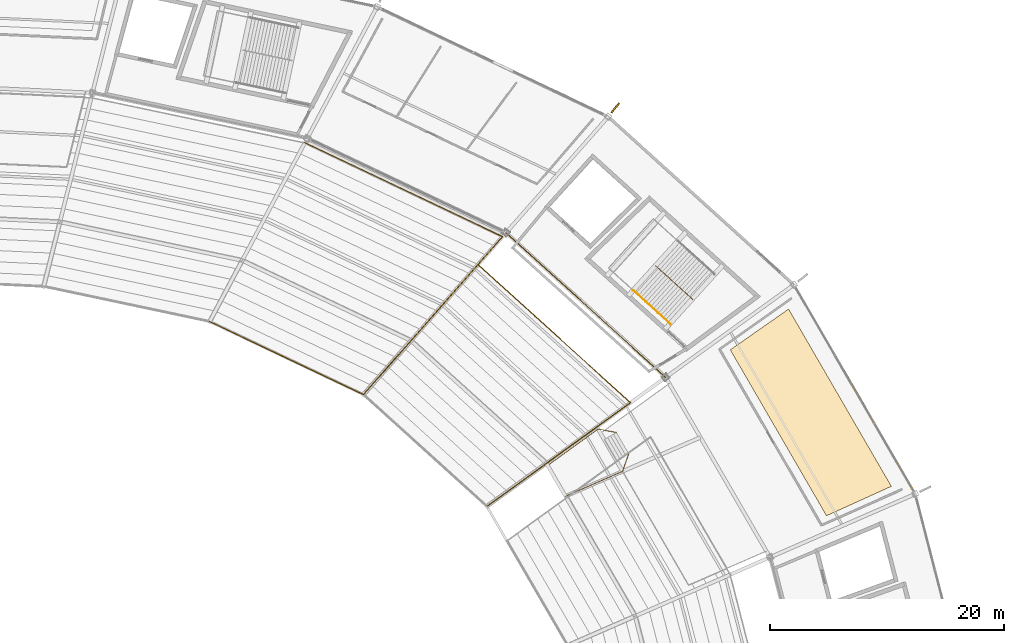
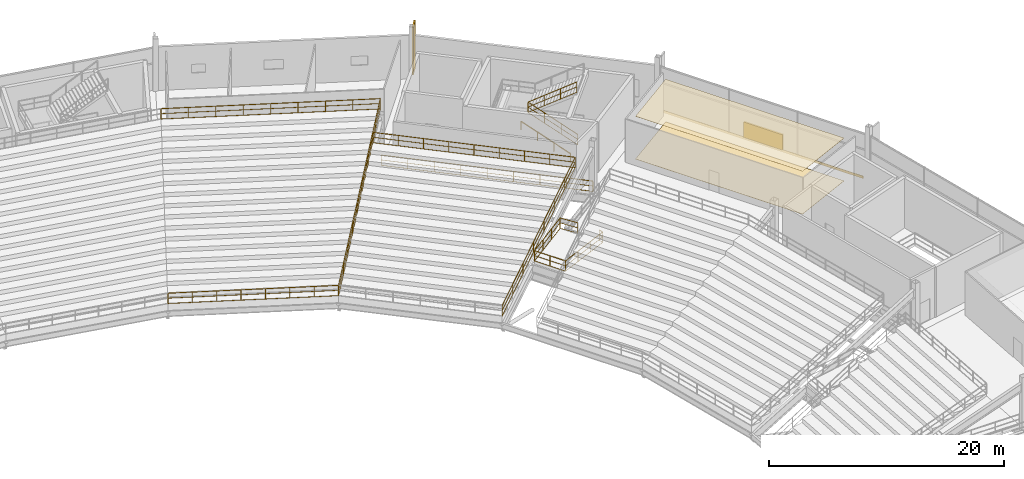
# One storey, part 185 of 186: 10 railings, 3 coverings, 2 shading devices.
"""IFC4 building model written with IfcOpenShell, lengths in metres."""

from ifc_helpers import new_model, si_unit, direction, frame, origin, origin_2d, place, context, subcontext, project, spatial, polyline, rectangle, outline, extrude, material, layer, layer_set, type_object, element, save


model = new_model("IFC4")

# Units and contexts
model_context = context("Model", 3, precision=1e-05, world=origin(), true_north=direction((0.0, 1.0)))
body_context = subcontext(model_context, "Body", "Model", "MODEL_VIEW")
ifc_project = project(units=[si_unit("LENGTHUNIT", "METRE"), si_unit("AREAUNIT", "SQUARE_METRE"), si_unit("VOLUMEUNIT", "CUBIC_METRE"), si_unit("PLANEANGLEUNIT", "RADIAN"), si_unit("MASSUNIT", "GRAM", prefix="KILO")], contexts=[model_context])

# Site, building, storey
site_placement = place(None, origin())
site = spatial("IfcSite", under=ifc_project, at=site_placement, CompositionType="ELEMENT")
building_placement = place(site_placement, origin())
building = spatial("IfcBuilding", under=site, at=building_placement, Name="Kazemori Nagisa Stadium", CompositionType="ELEMENT")
storey_placement = place(building_placement, frame((0.0, 0.0, 20.39990234375)))
storey = spatial("IfcBuildingStorey", under=building, at=storey_placement, Name="L04", CompositionType="ELEMENT", Elevation=20.39990234375)

# Coverings
ifc_material_1 = material(Name="Mineral-fibre acoustic board", Category="gypsum")
ifc_layer_1 = layer(ifc_material_1, 0.02001953125, Name="Mineral-fibre acoustic board", Category="gypsum")
ifc_layer_set_1 = layer_set([ifc_layer_1], Name="Mineral-fibre acoustic board")
covering_type_1 = type_object("IfcCoveringType", Name="Cov_CEIL", PredefinedType="CEILING", material=ifc_layer_set_1)
covering_1_placement = place(storey_placement, frame((0.0, 0.0, 4.4501953125)))
element("IfcCovering", 1, at=covering_1_placement, inside=storey, type_object=covering_type_1, Name="Acoustic ceiling L04-B03", PredefinedType="CEILING", context=body_context, shape_type="SweptSolid", body=[
    extrude(outline(polyline([(204.28125, 138.883544921875), (196.043212890625, 153.091064453125), (201.034423828125, 156.582275390625), (209.835205078125, 141.40380859375), (204.28125, 138.883544921875)])), origin(), (0.0, 0.0, 1.0), 0.02001953125),
])
ifc_material_2 = material(Name="Porcelain stoneware tile", Category="masonry")
ifc_layer_2 = layer(ifc_material_2, 0.02490234375, Name="Porcelain stoneware tile", Category="masonry")
ifc_layer_set_2 = layer_set([ifc_layer_2], Name="Porcelain stoneware tile")
covering_type_2 = type_object("IfcCoveringType", Name="Cov_FLOOR", PredefinedType="FLOORING", material=ifc_layer_set_2)
covering_2_placement = place(storey_placement, origin())
element("IfcCovering", 2, at=covering_2_placement, inside=storey, type_object=covering_type_2, Name="Porcelain floor finish L04-B03", PredefinedType="FLOORING", context=body_context, shape_type="SweptSolid", body=[
    extrude(outline(polyline([(204.28125, 138.883544921875), (196.043212890625, 153.091064453125), (201.034423828125, 156.582275390625), (209.835205078125, 141.40380859375), (204.28125, 138.883544921875)])), origin(), (0.0, 0.0, 1.0), 0.025146484375),
])
ifc_material_3 = material(Name="Anodised aluminium 6063-T5", Category="aluminium")
ifc_layer_3 = layer(ifc_material_3, 0.034912109375, Name="Anodised aluminium 6063-T5", Category="aluminium")
ifc_layer_set_3 = layer_set([ifc_layer_3], Name="Anodised aluminium 6063-T5")
covering_type_3 = type_object("IfcCoveringType", Name="Covering_CLAD", PredefinedType="CLADDING", material=ifc_layer_set_3)
covering_3_placement = place(storey_placement, frame((206.690185546875, 149.70849609375, -0.259765625), z_axis=(0.0, 0.0, 1.0), x_axis=(-0.501611590054, 0.865092950337, 0.0)))
element("IfcCovering", 3, at=covering_3_placement, inside=storey, type_object=covering_type_3, Name="Anodised fascia cladding L04-B03", PredefinedType="CLADDING", context=body_context, shape_type="SweptSolid", body=[
    extrude(rectangle(XDim=19.6123046875, YDim=0.0400390625, at=origin_2d()), origin(), (0.0, 0.0, 1.0), 0.260009765625),
])

# Shading devices
ifc_material_4 = material(Name="Aluminium 6063-T5 anodised", Category="aluminium")
shading_device_type_1 = type_object("IfcShadingDeviceType", Name="Fin_FN03", PredefinedType="USERDEFINED", material=ifc_material_4)
shading_device_1_placement = place(storey_placement, frame((186.193359375, 173.8056640625, 0.0), z_axis=(0.0, 0.0, 1.0), x_axis=(0.623489801853, 0.781831482473, 0.0)))
element("IfcShadingDevice", 4, at=shading_device_1_placement, inside=storey, type_object=shading_device_type_1, Name="Aerodynamic wave shading fin L04-05", ObjectType="FIN", PredefinedType="USERDEFINED", context=body_context, shape_type="SweptSolid", body=[
    extrude(rectangle(XDim=1.050048828125, YDim=0.139892578125, at=origin_2d()), origin(), (0.0, 0.0, 1.0), 5.0),
])
shading_device_type_2 = type_object("IfcShadingDeviceType", Name="Louvre_LV02", PredefinedType="JALOUSIE", material=ifc_material_4)
shading_device_2_placement = place(storey_placement, frame((206.690185546875, 149.70849609375, -0.010009765625), z_axis=(0.0, 0.0, 1.0), x_axis=(-0.501611590054, 0.865092950337, 0.0)))
element("IfcShadingDevice", 5, at=shading_device_2_placement, inside=storey, type_object=shading_device_type_2, Name="Concourse ventilation louvre L04-B03", PredefinedType="JALOUSIE", context=body_context, shape_type="SweptSolid", body=[
    extrude(rectangle(XDim=3.800048828125, YDim=0.179931640625, at=origin_2d()), origin(), (0.0, 0.0, 1.0), 1.60009765625),
])

# Railings
ifc_material_5 = material(Name="Laminated safety glass and stainless steel SUS304", Category="steel")
railing_type_1 = type_object("IfcRailingType", Name="Rail_BAL", PredefinedType="BALUSTRADE", material=ifc_material_5)
railing_1_placement = place(storey_placement, frame((190.506103515625, 150.734130859375, 0.0)))
element("IfcRailing", 6, at=railing_1_placement, inside=storey, type_object=railing_type_1, Name="Upper concourse balustrade L04-B04", PredefinedType="BALUSTRADE", context=body_context, shape_type="SweptSolid", body=[
    extrude(rectangle(XDim=0.050048828125, YDim=0.050048828125, at=origin_2d()), frame((0.0, 0.0, 1.09521484375), z_axis=(-0.741349142139, 0.671119549298, 0.0), x_axis=(-0.671119549298, -0.741349142139, 0.0)), (0.0, 0.0, 1.0), 18.44189453125),
    extrude(rectangle(XDim=0.03759765625, YDim=0.03759765625, at=origin_2d()), frame((0.0, 0.0, 0.58251953125), z_axis=(-0.741349142139, 0.671119549298, 0.0), x_axis=(-0.671119549298, -0.741349142139, 0.0)), (0.0, 0.0, 1.0), 18.44189453125),
    extrude(rectangle(XDim=0.03759765625, YDim=0.03759765625, at=origin_2d()), frame((0.0, 0.0, 0.02490234375), z_axis=(-0.741349142139, 0.671119549298, 0.0), x_axis=(-0.671119549298, -0.741349142139, 0.0)), (0.0, 0.0, 1.0), 18.44189453125),
    extrude(rectangle(XDim=0.044921875, YDim=0.044921875, at=origin_2d()), origin(), (0.0, 0.0, 1.0), 1.070068359375),
    extrude(rectangle(XDim=0.044921875, YDim=0.044921875, at=origin_2d()), frame((-1.708984375, 1.547119140625, 0.0)), (0.0, 0.0, 1.0), 1.070068359375),
    extrude(rectangle(XDim=0.044921875, YDim=0.044921875, at=origin_2d()), frame((-3.41796875, 3.09423828125, 0.0)), (0.0, 0.0, 1.0), 1.070068359375),
    extrude(rectangle(XDim=0.044921875, YDim=0.044921875, at=origin_2d()), frame((-5.126953125, 4.641357421875, 0.0)), (0.0, 0.0, 1.0), 1.070068359375),
    extrude(rectangle(XDim=0.044921875, YDim=0.044921875, at=origin_2d()), frame((-6.8359375, 6.1884765625, 0.0)), (0.0, 0.0, 1.0), 1.070068359375),
    extrude(rectangle(XDim=0.044921875, YDim=0.044921875, at=origin_2d()), frame((-8.544921875, 7.7353515625, 0.0)), (0.0, 0.0, 1.0), 1.070068359375),
    extrude(rectangle(XDim=0.044921875, YDim=0.044921875, at=origin_2d()), frame((-10.25390625, 9.282470703125, 0.0)), (0.0, 0.0, 1.0), 1.070068359375),
    extrude(rectangle(XDim=0.044921875, YDim=0.044921875, at=origin_2d()), frame((-11.962890625, 10.82958984375, 0.0)), (0.0, 0.0, 1.0), 1.070068359375),
    extrude(rectangle(XDim=0.044921875, YDim=0.044921875, at=origin_2d()), frame((-13.671875, 12.376708984375, 0.0)), (0.0, 0.0, 1.0), 1.070068359375),
])
ifc_material_6 = material(Name="Galvanised powder-coated steel", Category="steel")
railing_type_2 = type_object("IfcRailingType", Name="Rail_GUARD", PredefinedType="GUARDRAIL", material=ifc_material_6)
railing_2_placement = place(storey_placement, frame((192.848388671875, 157.393310546875, 0.0)))
element("IfcRailing", 7, at=railing_2_placement, inside=storey, type_object=railing_type_2, Name="Stair central guard ST01-L04", PredefinedType="GUARDRAIL", context=body_context, shape_type="SweptSolid", body=[
    extrude(rectangle(XDim=0.050048828125, YDim=0.050048828125, at=origin_2d()), frame((0.0, 0.0, 1.09521484375), z_axis=(-0.627541812823, 0.568099033934, 0.53240469645), x_axis=(-0.67112318634, -0.741345849626, 0.0)), (0.0, 0.0, 1.0), 5.109375),
    extrude(rectangle(XDim=0.03759765625, YDim=0.03759765625, at=origin_2d()), frame((0.0, 0.0, 0.58251953125), z_axis=(-0.627541812823, 0.568099033934, 0.53240469645), x_axis=(-0.67112318634, -0.741345849626, 0.0)), (0.0, 0.0, 1.0), 5.109375),
    extrude(rectangle(XDim=0.03759765625, YDim=0.03759765625, at=origin_2d()), frame((0.0, 0.0, 0.02490234375), z_axis=(-0.627541812823, 0.568099033934, 0.53240469645), x_axis=(-0.67112318634, -0.741345849626, 0.0)), (0.0, 0.0, 1.0), 5.109375),
    extrude(rectangle(XDim=0.050048828125, YDim=0.050048828125, at=origin_2d()), frame((-3.206298828125, 2.902587890625, 3.8154296875), z_axis=(0.624200602078, -0.565073454279, 0.539504957933), x_axis=(0.671122625547, 0.741346357298, 0.0)), (0.0, 0.0, 1.0), 5.04150390625),
    extrude(rectangle(XDim=0.03759765625, YDim=0.03759765625, at=origin_2d()), frame((-3.206298828125, 2.902587890625, 3.302734375), z_axis=(0.624200602078, -0.565073454279, 0.539504957933), x_axis=(0.671122625547, 0.741346357298, 0.0)), (0.0, 0.0, 1.0), 5.04150390625),
    extrude(rectangle(XDim=0.03759765625, YDim=0.03759765625, at=origin_2d()), frame((-3.206298828125, 2.902587890625, 2.7451171875), z_axis=(0.624200602078, -0.565073454279, 0.539504957933), x_axis=(0.671122625547, 0.741346357298, 0.0)), (0.0, 0.0, 1.0), 5.04150390625),
    extrude(rectangle(XDim=0.044921875, YDim=0.044921875, at=origin_2d()), origin(), (0.0, 0.0, 1.0), 1.070068359375),
    extrude(rectangle(XDim=0.044921875, YDim=0.044921875, at=origin_2d()), frame((-1.06884765625, 0.967529296875, 0.90673828125)), (0.0, 0.0, 1.0), 1.070068359375),
    extrude(rectangle(XDim=0.044921875, YDim=0.044921875, at=origin_2d()), frame((-2.137451171875, 1.93505859375, 1.8134765625)), (0.0, 0.0, 1.0), 1.070068359375),
    extrude(rectangle(XDim=0.044921875, YDim=0.044921875, at=origin_2d()), frame((-3.206298828125, 2.902587890625, 2.72021484375)), (0.0, 0.0, 1.0), 1.070068359375),
    extrude(rectangle(XDim=0.044921875, YDim=0.044921875, at=origin_2d()), frame((-2.1572265625, 1.952880859375, 3.626953125)), (0.0, 0.0, 1.0), 1.070068359375),
    extrude(rectangle(XDim=0.044921875, YDim=0.044921875, at=origin_2d()), frame((-1.1083984375, 1.00341796875, 4.533447265625)), (0.0, 0.0, 1.0), 1.070068359375),
    extrude(rectangle(XDim=0.044921875, YDim=0.044921875, at=origin_2d()), frame((-0.059326171875, 0.0537109375, 5.440185546875)), (0.0, 0.0, 1.0), 1.070068359375),
])
railing_3_placement = place(storey_placement, frame((187.34326171875, 144.19775390625, 0.0)))
element("IfcRailing", 8, at=railing_3_placement, inside=storey, type_object=railing_type_2, Name="Vomitory upper portal guard VU02", PredefinedType="GUARDRAIL", context=body_context, shape_type="SweptSolid", body=[
    extrude(rectangle(XDim=0.050048828125, YDim=0.050048828125, at=origin_2d()), frame((0.0, 0.0, 1.09521484375), z_axis=(-0.286432618581, -0.827858497796, 0.482293129372), x_axis=(0.945033271726, -0.326974181443, 0.0)), (0.0, 0.0, 1.0), 1.824951171875),
    extrude(rectangle(XDim=0.03759765625, YDim=0.03759765625, at=origin_2d()), frame((0.0, 0.0, 0.58251953125), z_axis=(-0.286432618581, -0.827858497796, 0.482293129372), x_axis=(0.945033271726, -0.326974181443, 0.0)), (0.0, 0.0, 1.0), 1.824951171875),
    extrude(rectangle(XDim=0.03759765625, YDim=0.03759765625, at=origin_2d()), frame((0.0, 0.0, 0.02490234375), z_axis=(-0.286432618581, -0.827858497796, 0.482293129372), x_axis=(0.945033271726, -0.326974181443, 0.0)), (0.0, 0.0, 1.0), 1.824951171875),
    extrude(rectangle(XDim=0.050048828125, YDim=0.050048828125, at=origin_2d()), frame((-0.522705078125, -1.5107421875, 1.97509765625), z_axis=(-0.916686075072, -0.399608107736, 0.0), x_axis=(0.399608107736, -0.916686075072, 0.0)), (0.0, 0.0, 1.0), 5.3330078125),
    extrude(rectangle(XDim=0.03759765625, YDim=0.03759765625, at=origin_2d()), frame((-0.522705078125, -1.5107421875, 1.462646484375), z_axis=(-0.916686075072, -0.399608107736, 0.0), x_axis=(0.399608107736, -0.916686075072, 0.0)), (0.0, 0.0, 1.0), 5.3330078125),
    extrude(rectangle(XDim=0.03759765625, YDim=0.03759765625, at=origin_2d()), frame((-0.522705078125, -1.5107421875, 0.9052734375), z_axis=(-0.916686075072, -0.399608107736, 0.0), x_axis=(0.399608107736, -0.916686075072, 0.0)), (0.0, 0.0, 1.0), 5.3330078125),
    extrude(rectangle(XDim=0.050048828125, YDim=0.050048828125, at=origin_2d()), frame((-5.411376953125, -3.641845703125, 1.97509765625), z_axis=(-0.501654597079, 0.86506801191, 0.0), x_axis=(-0.86506801191, -0.501654597079, 0.0)), (0.0, 0.0, 1.0), 3.050048828125),
    extrude(rectangle(XDim=0.03759765625, YDim=0.03759765625, at=origin_2d()), frame((-5.411376953125, -3.641845703125, 1.462646484375), z_axis=(-0.501654597079, 0.86506801191, 0.0), x_axis=(-0.86506801191, -0.501654597079, 0.0)), (0.0, 0.0, 1.0), 3.050048828125),
    extrude(rectangle(XDim=0.03759765625, YDim=0.03759765625, at=origin_2d()), frame((-5.411376953125, -3.641845703125, 0.9052734375), z_axis=(-0.501654597079, 0.86506801191, 0.0), x_axis=(-0.86506801191, -0.501654597079, 0.0)), (0.0, 0.0, 1.0), 3.050048828125),
    extrude(rectangle(XDim=0.050048828125, YDim=0.050048828125, at=origin_2d()), frame((-6.94140625, -1.00341796875, 1.97509765625), z_axis=(0.810804947447, 0.585316441931, 0.0), x_axis=(-0.585316441931, 0.810804947447, 0.0)), (0.0, 0.0, 1.0), 5.32470703125),
    extrude(rectangle(XDim=0.03759765625, YDim=0.03759765625, at=origin_2d()), frame((-6.94140625, -1.00341796875, 1.462646484375), z_axis=(0.810804947447, 0.585316441931, 0.0), x_axis=(-0.585316441931, 0.810804947447, 0.0)), (0.0, 0.0, 1.0), 5.32470703125),
    extrude(rectangle(XDim=0.03759765625, YDim=0.03759765625, at=origin_2d()), frame((-6.94140625, -1.00341796875, 0.9052734375), z_axis=(0.810804947447, 0.585316441931, 0.0), x_axis=(-0.585316441931, 0.810804947447, 0.0)), (0.0, 0.0, 1.0), 5.32470703125),
    extrude(rectangle(XDim=0.050048828125, YDim=0.050048828125, at=origin_2d()), frame((-2.6240234375, 2.11328125, 1.97509765625), z_axis=(0.860789853122, -0.162552016093, -0.482304541577), x_axis=(0.185560896973, 0.982632766355, 0.0)), (0.0, 0.0, 1.0), 1.824951171875),
    extrude(rectangle(XDim=0.03759765625, YDim=0.03759765625, at=origin_2d()), frame((-2.6240234375, 2.11328125, 1.462646484375), z_axis=(0.860789853122, -0.162552016093, -0.482304541577), x_axis=(0.185560896973, 0.982632766355, 0.0)), (0.0, 0.0, 1.0), 1.824951171875),
    extrude(rectangle(XDim=0.03759765625, YDim=0.03759765625, at=origin_2d()), frame((-2.6240234375, 2.11328125, 0.9052734375), z_axis=(0.860789853122, -0.162552016093, -0.482304541577), x_axis=(0.185560896973, 0.982632766355, 0.0)), (0.0, 0.0, 1.0), 1.824951171875),
    extrude(rectangle(XDim=0.044921875, YDim=0.044921875, at=origin_2d()), origin(), (0.0, 0.0, 1.0), 1.070068359375),
    extrude(rectangle(XDim=0.044921875, YDim=0.044921875, at=origin_2d()), frame((-0.522705078125, -1.5107421875, 0.880126953125)), (0.0, 0.0, 1.0), 1.070068359375),
    extrude(rectangle(XDim=0.044921875, YDim=0.044921875, at=origin_2d()), frame((-2.15234375, -2.22119140625, 0.880126953125)), (0.0, 0.0, 1.0), 1.070068359375),
    extrude(rectangle(XDim=0.044921875, YDim=0.044921875, at=origin_2d()), frame((-3.78173828125, -2.931396484375, 0.880126953125)), (0.0, 0.0, 1.0), 1.070068359375),
    extrude(rectangle(XDim=0.044921875, YDim=0.044921875, at=origin_2d()), frame((-5.411376953125, -3.641845703125, 0.880126953125)), (0.0, 0.0, 1.0), 1.070068359375),
    extrude(rectangle(XDim=0.044921875, YDim=0.044921875, at=origin_2d()), frame((-6.17626953125, -2.32275390625, 0.880126953125)), (0.0, 0.0, 1.0), 1.070068359375),
    extrude(rectangle(XDim=0.044921875, YDim=0.044921875, at=origin_2d()), frame((-6.94140625, -1.00341796875, 0.880126953125)), (0.0, 0.0, 1.0), 1.070068359375),
    extrude(rectangle(XDim=0.044921875, YDim=0.044921875, at=origin_2d()), frame((-5.502197265625, 0.035400390625, 0.880126953125)), (0.0, 0.0, 1.0), 1.070068359375),
    extrude(rectangle(XDim=0.044921875, YDim=0.044921875, at=origin_2d()), frame((-4.063232421875, 1.074462890625, 0.880126953125)), (0.0, 0.0, 1.0), 1.070068359375),
    extrude(rectangle(XDim=0.044921875, YDim=0.044921875, at=origin_2d()), frame((-2.6240234375, 2.11328125, 0.880126953125)), (0.0, 0.0, 1.0), 1.070068359375),
    extrude(rectangle(XDim=0.044921875, YDim=0.044921875, at=origin_2d()), frame((-1.05322265625, 1.816650390625, 0.0)), (0.0, 0.0, 1.0), 1.070068359375),
])
railing_4_placement = place(storey_placement, frame((187.507568359375, 148.569580078125, 4.840087890625)))
element("IfcRailing", 9, at=railing_4_placement, inside=storey, type_object=railing_type_2, Name="Upper tier rear guard B04", PredefinedType="GUARDRAIL", context=body_context, shape_type="SweptSolid", body=[
    extrude(rectangle(XDim=0.050048828125, YDim=0.050048828125, at=origin_2d()), frame((0.0, 0.0, 1.09521484375), z_axis=(-0.741353922784, 0.671114268342, 0.0), x_axis=(-0.671114268342, -0.741353922784, 0.0)), (0.0, 0.0, 1.0), 17.622314453125),
    extrude(rectangle(XDim=0.03759765625, YDim=0.03759765625, at=origin_2d()), frame((0.0, 0.0, 0.58251953125), z_axis=(-0.741353922784, 0.671114268342, 0.0), x_axis=(-0.671114268342, -0.741353922784, 0.0)), (0.0, 0.0, 1.0), 17.622314453125),
    extrude(rectangle(XDim=0.03759765625, YDim=0.03759765625, at=origin_2d()), frame((0.0, 0.0, 0.02490234375), z_axis=(-0.741353922784, 0.671114268342, 0.0), x_axis=(-0.671114268342, -0.741353922784, 0.0)), (0.0, 0.0, 1.0), 17.622314453125),
    extrude(rectangle(XDim=0.044921875, YDim=0.044921875, at=origin_2d()), origin(), (0.0, 0.0, 1.0), 1.070068359375),
    extrude(rectangle(XDim=0.044921875, YDim=0.044921875, at=origin_2d()), frame((-1.633056640625, 1.478271484375, 0.0)), (0.0, 0.0, 1.0), 1.070068359375),
    extrude(rectangle(XDim=0.044921875, YDim=0.044921875, at=origin_2d()), frame((-3.26611328125, 2.95654296875, 0.0)), (0.0, 0.0, 1.0), 1.070068359375),
    extrude(rectangle(XDim=0.044921875, YDim=0.044921875, at=origin_2d()), frame((-4.899169921875, 4.43505859375, 0.0)), (0.0, 0.0, 1.0), 1.070068359375),
    extrude(rectangle(XDim=0.044921875, YDim=0.044921875, at=origin_2d()), frame((-6.5322265625, 5.913330078125, 0.0)), (0.0, 0.0, 1.0), 1.070068359375),
    extrude(rectangle(XDim=0.044921875, YDim=0.044921875, at=origin_2d()), frame((-8.165283203125, 7.3916015625, 0.0)), (0.0, 0.0, 1.0), 1.070068359375),
    extrude(rectangle(XDim=0.044921875, YDim=0.044921875, at=origin_2d()), frame((-9.79833984375, 8.8701171875, 0.0)), (0.0, 0.0, 1.0), 1.070068359375),
    extrude(rectangle(XDim=0.044921875, YDim=0.044921875, at=origin_2d()), frame((-11.431396484375, 10.348388671875, 0.0)), (0.0, 0.0, 1.0), 1.070068359375),
    extrude(rectangle(XDim=0.044921875, YDim=0.044921875, at=origin_2d()), frame((-13.064453125, 11.82666015625, 0.0)), (0.0, 0.0, 1.0), 1.070068359375),
])
railing_5_placement = place(storey_placement, frame((164.627685546875, 149.254150390625, -0.8798828125)))
element("IfcRailing", 10, at=railing_5_placement, inside=storey, type_object=railing_type_2, Name="Upper tier radial step guard B04R", PredefinedType="GUARDRAIL", context=body_context, shape_type="SweptSolid", body=[
    extrude(rectangle(XDim=0.050048828125, YDim=0.050048828125, at=origin_2d()), frame((0.0, 0.0, 1.09521484375), z_axis=(0.616838618825, 0.700210946322, 0.359464530903), x_axis=(-0.75036637335, 0.661022167364, 0.0)), (0.0, 0.0, 1.0), 15.91259765625),
    extrude(rectangle(XDim=0.03759765625, YDim=0.03759765625, at=origin_2d()), frame((0.0, 0.0, 0.58251953125), z_axis=(0.616838618825, 0.700210946322, 0.359464530903), x_axis=(-0.75036637335, 0.661022167364, 0.0)), (0.0, 0.0, 1.0), 15.91259765625),
    extrude(rectangle(XDim=0.03759765625, YDim=0.03759765625, at=origin_2d()), frame((0.0, 0.0, 0.02490234375), z_axis=(0.616838618825, 0.700210946322, 0.359464530903), x_axis=(-0.75036637335, 0.661022167364, 0.0)), (0.0, 0.0, 1.0), 15.91259765625),
    extrude(rectangle(XDim=0.044921875, YDim=0.044921875, at=origin_2d()), origin(), (0.0, 0.0, 1.0), 1.070068359375),
    extrude(rectangle(XDim=0.044921875, YDim=0.044921875, at=origin_2d()), frame((1.402099609375, 1.591796875, 0.817138671875)), (0.0, 0.0, 1.0), 1.070068359375),
    extrude(rectangle(XDim=0.044921875, YDim=0.044921875, at=origin_2d()), frame((2.804443359375, 3.183349609375, 1.63427734375)), (0.0, 0.0, 1.0), 1.070068359375),
    extrude(rectangle(XDim=0.044921875, YDim=0.044921875, at=origin_2d()), frame((4.20654296875, 4.775146484375, 2.451416015625)), (0.0, 0.0, 1.0), 1.070068359375),
    extrude(rectangle(XDim=0.044921875, YDim=0.044921875, at=origin_2d()), frame((5.60888671875, 6.366943359375, 3.2685546875)), (0.0, 0.0, 1.0), 1.070068359375),
    extrude(rectangle(XDim=0.044921875, YDim=0.044921875, at=origin_2d()), frame((7.010986328125, 7.958740234375, 4.085693359375)), (0.0, 0.0, 1.0), 1.070068359375),
    extrude(rectangle(XDim=0.044921875, YDim=0.044921875, at=origin_2d()), frame((8.413330078125, 9.55029296875, 4.90283203125)), (0.0, 0.0, 1.0), 1.070068359375),
    extrude(rectangle(XDim=0.044921875, YDim=0.044921875, at=origin_2d()), frame((9.8154296875, 11.14208984375, 5.719970703125)), (0.0, 0.0, 1.0), 1.070068359375),
])
railing_6_placement = place(storey_placement, frame((175.199462890625, 139.68408203125, -0.8798828125)))
element("IfcRailing", 11, at=railing_6_placement, inside=storey, type_object=railing_type_2, Name="Upper tier radial step guard B04L", PredefinedType="GUARDRAIL", context=body_context, shape_type="SweptSolid", body=[
    extrude(rectangle(XDim=0.050048828125, YDim=0.050048828125, at=origin_2d()), frame((0.0, 0.0, 1.09521484375), z_axis=(0.758720117879, 0.547737110529, 0.35260153215), x_axis=(-0.585330824372, 0.810794564634, 0.0)), (0.0, 0.0, 1.0), 16.22216796875),
    extrude(rectangle(XDim=0.03759765625, YDim=0.03759765625, at=origin_2d()), frame((0.0, 0.0, 0.58251953125), z_axis=(0.758720117879, 0.547737110529, 0.35260153215), x_axis=(-0.585330824372, 0.810794564634, 0.0)), (0.0, 0.0, 1.0), 16.22216796875),
    extrude(rectangle(XDim=0.03759765625, YDim=0.03759765625, at=origin_2d()), frame((0.0, 0.0, 0.02490234375), z_axis=(0.758720117879, 0.547737110529, 0.35260153215), x_axis=(-0.585330824372, 0.810794564634, 0.0)), (0.0, 0.0, 1.0), 16.22216796875),
    extrude(rectangle(XDim=0.044921875, YDim=0.044921875, at=origin_2d()), origin(), (0.0, 0.0, 1.0), 1.070068359375),
    extrude(rectangle(XDim=0.044921875, YDim=0.044921875, at=origin_2d()), frame((1.75830078125, 1.269287109375, 0.817138671875)), (0.0, 0.0, 1.0), 1.070068359375),
    extrude(rectangle(XDim=0.044921875, YDim=0.044921875, at=origin_2d()), frame((3.5166015625, 2.538818359375, 1.63427734375)), (0.0, 0.0, 1.0), 1.070068359375),
    extrude(rectangle(XDim=0.044921875, YDim=0.044921875, at=origin_2d()), frame((5.27490234375, 3.80810546875, 2.451416015625)), (0.0, 0.0, 1.0), 1.070068359375),
    extrude(rectangle(XDim=0.044921875, YDim=0.044921875, at=origin_2d()), frame((7.033203125, 5.077392578125, 3.2685546875)), (0.0, 0.0, 1.0), 1.070068359375),
    extrude(rectangle(XDim=0.044921875, YDim=0.044921875, at=origin_2d()), frame((8.79150390625, 6.3466796875, 4.085693359375)), (0.0, 0.0, 1.0), 1.070068359375),
    extrude(rectangle(XDim=0.044921875, YDim=0.044921875, at=origin_2d()), frame((10.5498046875, 7.6162109375, 4.90283203125)), (0.0, 0.0, 1.0), 1.070068359375),
    extrude(rectangle(XDim=0.044921875, YDim=0.044921875, at=origin_2d()), frame((12.30810546875, 8.885498046875, 5.719970703125)), (0.0, 0.0, 1.0), 1.070068359375),
])
railing_7_placement = place(storey_placement, frame((164.627685546875, 149.254150390625, -0.8798828125)))
element("IfcRailing", 12, at=railing_7_placement, inside=storey, type_object=railing_type_2, Name="Upper tier front crowd barrier B05", PredefinedType="GUARDRAIL", context=body_context, shape_type="SweptSolid", body=[
    extrude(rectangle(XDim=0.050048828125, YDim=0.050048828125, at=origin_2d()), frame((0.0, 0.0, 1.09521484375), z_axis=(-0.903213541292, 0.429191447757, 0.0), x_axis=(-0.429191447757, -0.903213541292, 0.0)), (0.0, 0.0, 1.0), 14.572998046875),
    extrude(rectangle(XDim=0.03759765625, YDim=0.03759765625, at=origin_2d()), frame((0.0, 0.0, 0.58251953125), z_axis=(-0.903213541292, 0.429191447757, 0.0), x_axis=(-0.429191447757, -0.903213541292, 0.0)), (0.0, 0.0, 1.0), 14.572998046875),
    extrude(rectangle(XDim=0.03759765625, YDim=0.03759765625, at=origin_2d()), frame((0.0, 0.0, 0.02490234375), z_axis=(-0.903213541292, 0.429191447757, 0.0), x_axis=(-0.429191447757, -0.903213541292, 0.0)), (0.0, 0.0, 1.0), 14.572998046875),
    extrude(rectangle(XDim=0.044921875, YDim=0.044921875, at=origin_2d()), origin(), (0.0, 0.0, 1.0), 1.070068359375),
    extrude(rectangle(XDim=0.044921875, YDim=0.044921875, at=origin_2d()), frame((-1.88037109375, 0.8935546875, 0.0)), (0.0, 0.0, 1.0), 1.070068359375),
    extrude(rectangle(XDim=0.044921875, YDim=0.044921875, at=origin_2d()), frame((-3.7607421875, 1.787109375, 0.0)), (0.0, 0.0, 1.0), 1.070068359375),
    extrude(rectangle(XDim=0.044921875, YDim=0.044921875, at=origin_2d()), frame((-5.64111328125, 2.6806640625, 0.0)), (0.0, 0.0, 1.0), 1.070068359375),
    extrude(rectangle(XDim=0.044921875, YDim=0.044921875, at=origin_2d()), frame((-7.521484375, 3.573974609375, 0.0)), (0.0, 0.0, 1.0), 1.070068359375),
    extrude(rectangle(XDim=0.044921875, YDim=0.044921875, at=origin_2d()), frame((-9.40185546875, 4.467529296875, 0.0)), (0.0, 0.0, 1.0), 1.070068359375),
    extrude(rectangle(XDim=0.044921875, YDim=0.044921875, at=origin_2d()), frame((-11.2822265625, 5.361083984375, 0.0)), (0.0, 0.0, 1.0), 1.070068359375),
    extrude(rectangle(XDim=0.044921875, YDim=0.044921875, at=origin_2d()), frame((-13.16259765625, 6.254638671875, 0.0)), (0.0, 0.0, 1.0), 1.070068359375),
])
railing_8_placement = place(storey_placement, frame((176.54638671875, 162.783935546875, 6.16015625)))
element("IfcRailing", 13, at=railing_8_placement, inside=storey, type_object=railing_type_2, Name="Upper tier rear guard B05", PredefinedType="GUARDRAIL", context=body_context, shape_type="SweptSolid", body=[
    extrude(rectangle(XDim=0.050048828125, YDim=0.050048828125, at=origin_2d()), frame((0.0, 0.0, 1.09521484375), z_axis=(-0.903218186797, 0.42918167137, 0.0), x_axis=(-0.42918167137, -0.903218186797, 0.0)), (0.0, 0.0, 1.0), 18.745361328125),
    extrude(rectangle(XDim=0.03759765625, YDim=0.03759765625, at=origin_2d()), frame((0.0, 0.0, 0.58251953125), z_axis=(-0.903218186797, 0.42918167137, 0.0), x_axis=(-0.42918167137, -0.903218186797, 0.0)), (0.0, 0.0, 1.0), 18.745361328125),
    extrude(rectangle(XDim=0.03759765625, YDim=0.03759765625, at=origin_2d()), frame((0.0, 0.0, 0.02490234375), z_axis=(-0.903218186797, 0.42918167137, 0.0), x_axis=(-0.42918167137, -0.903218186797, 0.0)), (0.0, 0.0, 1.0), 18.745361328125),
    extrude(rectangle(XDim=0.044921875, YDim=0.044921875, at=origin_2d()), origin(), (0.0, 0.0, 1.0), 1.070068359375),
    extrude(rectangle(XDim=0.044921875, YDim=0.044921875, at=origin_2d()), frame((-2.116455078125, 1.005615234375, 0.0)), (0.0, 0.0, 1.0), 1.070068359375),
    extrude(rectangle(XDim=0.044921875, YDim=0.044921875, at=origin_2d()), frame((-4.23291015625, 2.01123046875, 0.0)), (0.0, 0.0, 1.0), 1.070068359375),
    extrude(rectangle(XDim=0.044921875, YDim=0.044921875, at=origin_2d()), frame((-6.34912109375, 3.016845703125, 0.0)), (0.0, 0.0, 1.0), 1.070068359375),
    extrude(rectangle(XDim=0.044921875, YDim=0.044921875, at=origin_2d()), frame((-8.465576171875, 4.0224609375, 0.0)), (0.0, 0.0, 1.0), 1.070068359375),
    extrude(rectangle(XDim=0.044921875, YDim=0.044921875, at=origin_2d()), frame((-10.58203125, 5.0283203125, 0.0)), (0.0, 0.0, 1.0), 1.070068359375),
    extrude(rectangle(XDim=0.044921875, YDim=0.044921875, at=origin_2d()), frame((-12.6982421875, 6.033935546875, 0.0)), (0.0, 0.0, 1.0), 1.070068359375),
    extrude(rectangle(XDim=0.044921875, YDim=0.044921875, at=origin_2d()), frame((-14.814697265625, 7.03955078125, 0.0)), (0.0, 0.0, 1.0), 1.070068359375),
    extrude(rectangle(XDim=0.044921875, YDim=0.044921875, at=origin_2d()), frame((-16.93115234375, 8.045166015625, 0.0)), (0.0, 0.0, 1.0), 1.070068359375),
])
railing_9_placement = place(storey_placement, frame((164.627685546875, 149.254150390625, -0.8798828125)))
element("IfcRailing", 14, at=railing_9_placement, inside=storey, type_object=railing_type_2, Name="Upper tier radial step guard B05L", PredefinedType="GUARDRAIL", context=body_context, shape_type="SweptSolid", body=[
    extrude(rectangle(XDim=0.050048828125, YDim=0.050048828125, at=origin_2d()), frame((0.0, 0.0, 1.09521484375), z_axis=(0.615747874347, 0.698980226973, 0.363704821989), x_axis=(-0.750369868369, 0.661018199934, 0.0)), (0.0, 0.0, 1.0), 19.3564453125),
    extrude(rectangle(XDim=0.03759765625, YDim=0.03759765625, at=origin_2d()), frame((0.0, 0.0, 0.58251953125), z_axis=(0.615747874347, 0.698980226973, 0.363704821989), x_axis=(-0.750369868369, 0.661018199934, 0.0)), (0.0, 0.0, 1.0), 19.3564453125),
    extrude(rectangle(XDim=0.03759765625, YDim=0.03759765625, at=origin_2d()), frame((0.0, 0.0, 0.02490234375), z_axis=(0.615747874347, 0.698980226973, 0.363704821989), x_axis=(-0.750369868369, 0.661018199934, 0.0)), (0.0, 0.0, 1.0), 19.3564453125),
    extrude(rectangle(XDim=0.044921875, YDim=0.044921875, at=origin_2d()), origin(), (0.0, 0.0, 1.0), 1.070068359375),
    extrude(rectangle(XDim=0.044921875, YDim=0.044921875, at=origin_2d()), frame((1.32421875, 1.50341796875, 0.7822265625)), (0.0, 0.0, 1.0), 1.070068359375),
    extrude(rectangle(XDim=0.044921875, YDim=0.044921875, at=origin_2d()), frame((2.648681640625, 3.006591796875, 1.564453125)), (0.0, 0.0, 1.0), 1.070068359375),
    extrude(rectangle(XDim=0.044921875, YDim=0.044921875, at=origin_2d()), frame((3.972900390625, 4.510009765625, 2.3466796875)), (0.0, 0.0, 1.0), 1.070068359375),
    extrude(rectangle(XDim=0.044921875, YDim=0.044921875, at=origin_2d()), frame((5.297119140625, 6.01318359375, 3.12890625)), (0.0, 0.0, 1.0), 1.070068359375),
    extrude(rectangle(XDim=0.044921875, YDim=0.044921875, at=origin_2d()), frame((6.62158203125, 7.5166015625, 3.9111328125)), (0.0, 0.0, 1.0), 1.070068359375),
    extrude(rectangle(XDim=0.044921875, YDim=0.044921875, at=origin_2d()), frame((7.94580078125, 9.019775390625, 4.693359375)), (0.0, 0.0, 1.0), 1.070068359375),
    extrude(rectangle(XDim=0.044921875, YDim=0.044921875, at=origin_2d()), frame((9.27001953125, 10.523193359375, 5.4755859375)), (0.0, 0.0, 1.0), 1.070068359375),
    extrude(rectangle(XDim=0.044921875, YDim=0.044921875, at=origin_2d()), frame((10.594482421875, 12.0263671875, 6.2578125)), (0.0, 0.0, 1.0), 1.070068359375),
    extrude(rectangle(XDim=0.044921875, YDim=0.044921875, at=origin_2d()), frame((11.918701171875, 13.52978515625, 7.0400390625)), (0.0, 0.0, 1.0), 1.070068359375),
])
ifc_material_7 = material(Name="Stainless steel SUS304", Category="steel")
railing_type_3 = type_object("IfcRailingType", Name="Rail_HAND", PredefinedType="HANDRAIL", material=ifc_material_7)
railing_10_placement = place(storey_placement, frame((190.935791015625, 155.280517578125, 0.170166015625)))
element("IfcRailing", 15, at=railing_10_placement, inside=storey, type_object=railing_type_3, Name="Stair handrail ST01-L04-F1", PredefinedType="HANDRAIL", context=body_context, shape_type="SweptSolid", body=[
    extrude(rectangle(XDim=0.050048828125, YDim=0.050048828125, at=origin_2d()), frame((0.0, 0.0, 0.875), z_axis=(-0.627586741976, 0.568096450081, 0.532354491576), x_axis=(-0.671095101672, -0.741371273056, 0.0)), (0.0, 0.0, 1.0), 5.109375),
    extrude(rectangle(XDim=0.044921875, YDim=0.044921875, at=origin_2d()), origin(), (0.0, 0.0, 1.0), 0.849853515625),
    extrude(rectangle(XDim=0.044921875, YDim=0.044921875, at=origin_2d()), frame((-1.06884765625, 0.967529296875, 0.90673828125)), (0.0, 0.0, 1.0), 0.849853515625),
    extrude(rectangle(XDim=0.044921875, YDim=0.044921875, at=origin_2d()), frame((-2.1376953125, 1.93505859375, 1.813232421875)), (0.0, 0.0, 1.0), 0.849853515625),
    extrude(rectangle(XDim=0.044921875, YDim=0.044921875, at=origin_2d()), frame((-3.20654296875, 2.902587890625, 2.719970703125)), (0.0, 0.0, 1.0), 0.849853515625),
])

save(model, "model.ifc")
